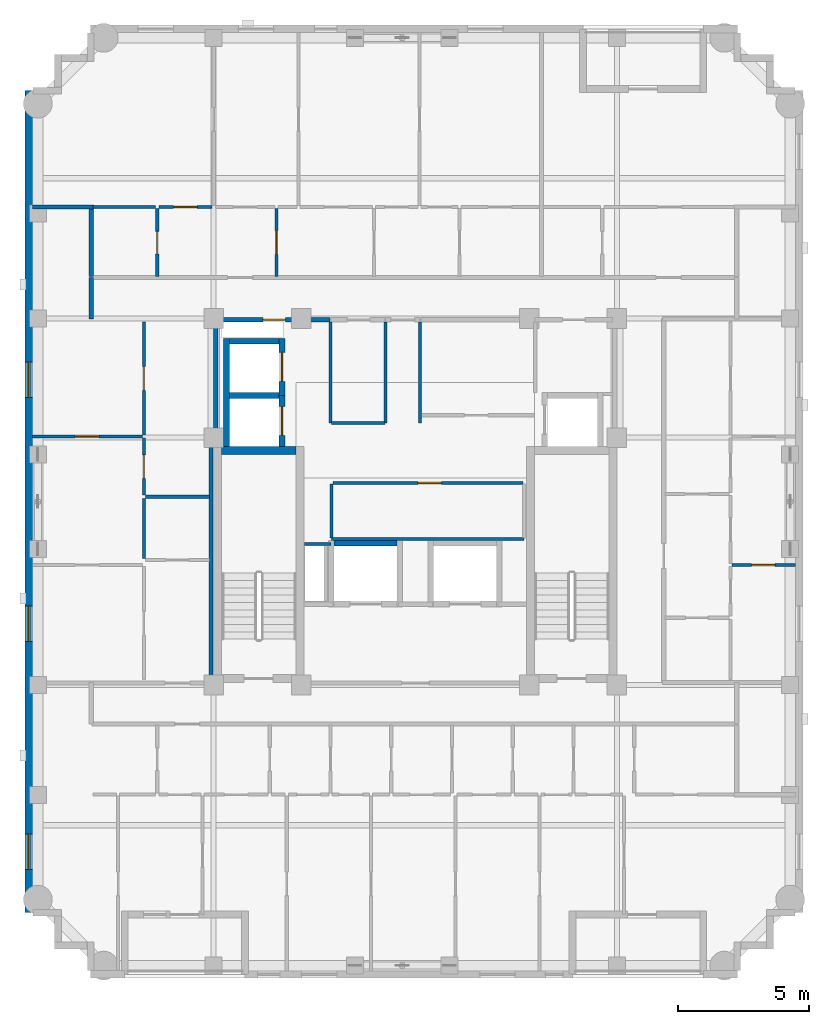
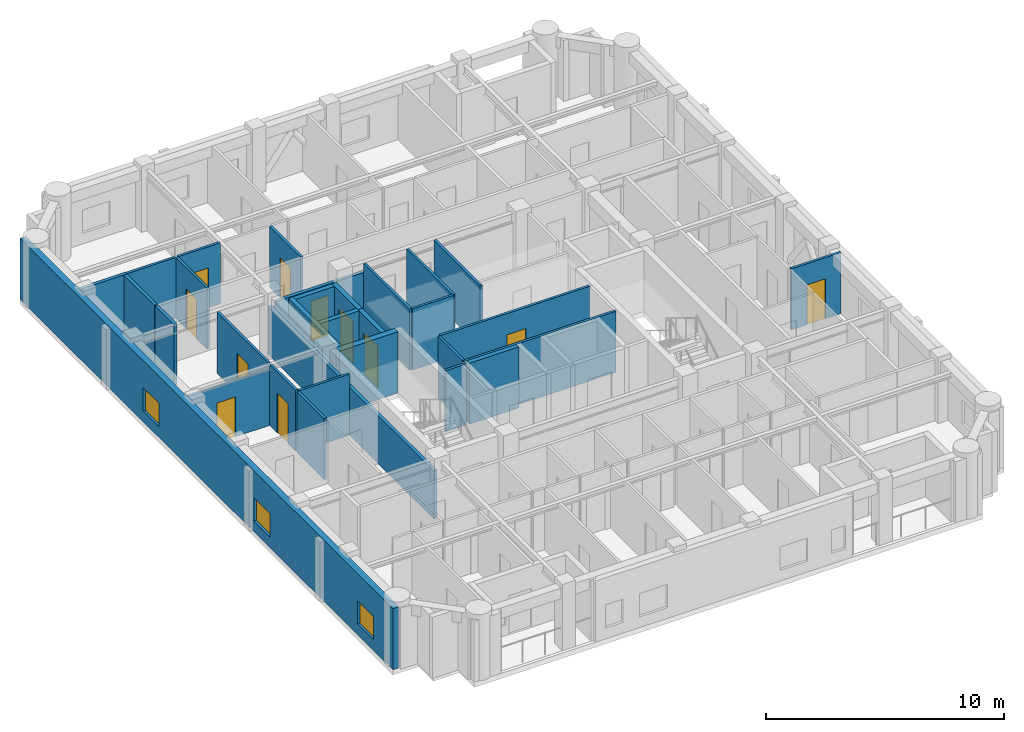
# One storey, part 5 of 11: 32 walls, 11 doors, 3 windows, 14 openings.
"""IFC4 building model written with IfcOpenShell, lengths in metres."""

from ifc_helpers import new_model, si_unit, derived_unit, direction, frame, frame_2d, origin, place, context, subcontext, project, spatial, rectangle, extrude, material, layer, layer_set, type_object, element, fill, save


model = new_model("IFC4")

# Units and contexts
model_context = context("Model", 3, precision=1e-05, world=origin(), true_north=direction((0.0, 1.0)))
body_context = subcontext(model_context, "Body", "Model", "MODEL_VIEW")
ifc_project = project(units=[si_unit("LENGTHUNIT", "METRE"), si_unit("AREAUNIT", "SQUARE_METRE"), si_unit("VOLUMEUNIT", "CUBIC_METRE"), si_unit("PLANEANGLEUNIT", "RADIAN"), si_unit("MASSUNIT", "GRAM", prefix="KILO"), derived_unit("THERMALTRANSMITTANCEUNIT", [(si_unit("MASSUNIT", "GRAM", prefix="KILO"), 1), (si_unit("TIMEUNIT", "SECOND"), -3), (si_unit("THERMODYNAMICTEMPERATUREUNIT", "KELVIN"), -1)])], contexts=[model_context])

# Site, building, storey
site_placement = place(None, origin())
site = spatial("IfcSite", under=ifc_project, at=site_placement, CompositionType="ELEMENT")
building_placement = place(site_placement, origin())
building = spatial("IfcBuilding", under=site, at=building_placement, Name="Korrvale Station Residences", CompositionType="ELEMENT")
storey_placement = place(building_placement, frame((0.0, 0.0, 227.5)))
storey = spatial("IfcBuildingStorey", under=building, at=storey_placement, Name="L66", CompositionType="ELEMENT", Elevation=227.5)

# Wall
ifc_material_1 = material(Name="Concrete C50/60", Category="concrete")
ifc_layer_1 = layer(ifc_material_1, 0.300048828125, Name="Concrete C50/60")
ifc_layer_set_1 = layer_set([ifc_layer_1], Name="Concrete C50/60")
wall_type_1 = type_object("IfcWallType", Name="WAL-CORE-300-C50", PredefinedType="SHEAR", material=ifc_layer_set_1)
wall_1_placement = place(storey_placement, frame((18.10009765625, 23.949951171875, 0.0), z_axis=(0.0, 0.0, 1.0), x_axis=(1.0, 0.0, 0.0)))
element("IfcWall", 1, at=wall_1_placement, inside=storey, type_object=wall_type_1, Name="L66 ST-1 Core Shear Wall North", PredefinedType="SHEAR", context=body_context, shape_type="SweptSolid", body=[
    extrude(rectangle(XDim=2.849853515625, YDim=0.300048828125, at=frame_2d((1.4248046875, 0.0))), origin(), (0.0, 0.0, 1.0), 3.139892578125),
])

# Wall, openings, windows
ifc_material_2 = material(Name="Precast concrete C45/55", Category="concrete")
ifc_layer_2 = layer(ifc_material_2, 0.300048828125, Name="Precast concrete C45/55")
ifc_layer_set_2 = layer_set([ifc_layer_2], Name="Precast concrete C45/55")
wall_type_2 = type_object("IfcWallType", Name="WAL-EXT-PC300", PredefinedType="SOLIDWALL", material=ifc_layer_set_2)
wall_2_placement = place(storey_placement, frame((10.75, 6.300048828125, 0.0), z_axis=(0.0, 0.0, 1.0), x_axis=(0.0, 1.0, 0.0)))
wall_2 = element("IfcWall", 2, at=wall_2_placement, inside=storey, type_object=wall_type_2, Name="L66 West Exterior Precast Wall 1", PredefinedType="SOLIDWALL", context=body_context, shape_type="SweptSolid", body=[
    extrude(rectangle(XDim=31.39990234375, YDim=0.300048828125, at=frame_2d((15.699951171875, 0.0))), origin(), (0.0, 0.0, 1.0), 3.139892578125),
])
opening_1_placement = place(wall_2_placement, frame((1.653076171875, 0.0, 0.550048828125)))
opening_1 = element("IfcOpeningElement", 3, at=opening_1_placement, cuts=wall_2, Name="Opening W-10", PredefinedType="OPENING", context=body_context, shape_type="SweptSolid", body=[
    extrude(rectangle(XDim=1.35009765625, YDim=1.199951171875, at=frame_2d((0.675048828125, 0.60009765625))), frame((0.0, 0.16015625, 0.0), z_axis=(0.0, -1.0, 0.0), x_axis=(1.0, 0.0, 0.0)), (0.0, 0.0, 1.0), 0.320068359375),
])
opening_2_placement = place(wall_2_placement, frame((10.366943359375, 0.0, 0.550048828125)))
opening_2 = element("IfcOpeningElement", 4, at=opening_2_placement, cuts=wall_2, Name="Opening W-10", PredefinedType="OPENING", context=body_context, shape_type="SweptSolid", body=[
    extrude(rectangle(XDim=1.35009765625, YDim=1.199951171875, at=frame_2d((0.675048828125, 0.60009765625))), frame((0.0, 0.16015625, 0.0), z_axis=(0.0, -1.0, 0.0), x_axis=(1.0, 0.0, 0.0)), (0.0, 0.0, 1.0), 0.320068359375),
])
opening_3_placement = place(wall_2_placement, frame((19.68310546875, 0.0, 0.550048828125)))
opening_3 = element("IfcOpeningElement", 5, at=opening_3_placement, cuts=wall_2, Name="Opening W-10", PredefinedType="OPENING", context=body_context, shape_type="SweptSolid", body=[
    extrude(rectangle(XDim=1.35009765625, YDim=1.199951171875, at=frame_2d((0.675048828125, 0.60009765625))), frame((0.0, 0.16015625, 0.0), z_axis=(0.0, -1.0, 0.0), x_axis=(1.0, 0.0, 0.0)), (0.0, 0.0, 1.0), 0.320068359375),
])
ifc_material_3 = material(Name="Thermally broken aluminium frame with triple low-e glazing", Category="aluminium")
window_type = type_object("IfcWindowType", Name="WIN-W10", PartitioningType="SINGLE_PANEL", PredefinedType="WINDOW", material=ifc_material_3)
window_1_placement = place(opening_1_placement, origin())
window_1 = element("IfcWindow", 6, at=window_1_placement, inside=storey, type_object=window_type, Name="L66 Punched Window 01", OverallHeight=1.199951171875, OverallWidth=1.35009765625, PartitioningType="SINGLE_PANEL", PredefinedType="WINDOW", context=body_context, shape_type="SweptSolid", body=[
    extrude(rectangle(XDim=1.35009765625, YDim=1.199951171875, at=frame_2d((0.675048828125, 0.60009765625))), frame((0.0, 0.030029296875, 0.0), z_axis=(0.0, -1.0, 0.0), x_axis=(1.0, 0.0, 0.0)), (0.0, 0.0, 1.0), 0.06005859375),
])
fill(opening_1, window_1)
window_2_placement = place(opening_2_placement, origin())
window_2 = element("IfcWindow", 7, at=window_2_placement, inside=storey, type_object=window_type, Name="L66 Punched Window 13", OverallHeight=1.199951171875, OverallWidth=1.35009765625, PartitioningType="SINGLE_PANEL", PredefinedType="WINDOW", context=body_context, shape_type="SweptSolid", body=[
    extrude(rectangle(XDim=1.35009765625, YDim=1.199951171875, at=frame_2d((0.675048828125, 0.60009765625))), frame((0.0, 0.030029296875, 0.0), z_axis=(0.0, -1.0, 0.0), x_axis=(1.0, 0.0, 0.0)), (0.0, 0.0, 1.0), 0.06005859375),
])
fill(opening_2, window_2)
window_3_placement = place(opening_3_placement, origin())
window_3 = element("IfcWindow", 8, at=window_3_placement, inside=storey, type_object=window_type, Name="L66 Punched Window 14", OverallHeight=1.199951171875, OverallWidth=1.35009765625, PartitioningType="SINGLE_PANEL", PredefinedType="WINDOW", context=body_context, shape_type="SweptSolid", body=[
    extrude(rectangle(XDim=1.35009765625, YDim=1.199951171875, at=frame_2d((0.675048828125, 0.60009765625))), frame((0.0, 0.030029296875, 0.0), z_axis=(0.0, -1.0, 0.0), x_axis=(1.0, 0.0, 0.0)), (0.0, 0.0, 1.0), 0.06005859375),
])
fill(opening_3, window_3)

# Walls
ifc_material_4 = material(Name="Acoustic steel-stud gypsum board partition", Category="steel")
ifc_layer_3 = layer(ifc_material_4, 0.1201171875, Name="Acoustic steel-stud gypsum board partition")
ifc_layer_set_3 = layer_set([ifc_layer_3], Name="Acoustic steel-stud gypsum board partition")
wall_type_3 = type_object("IfcWallType", Name="WAL-PART-125", PredefinedType="PARTITIONING", material=ifc_layer_set_3)
wall_3_placement = place(storey_placement, frame((22.280029296875, 20.3798828125, 0.0), z_axis=(0.0, 0.0, 1.0), x_axis=(-1.0, 0.0, 0.0)))
element("IfcWall", 9, at=wall_3_placement, inside=storey, type_object=wall_type_3, Name="L66 Core Partition CW-RSWT-N", PredefinedType="PARTITIONING", context=body_context, shape_type="SweptSolid", body=[
    extrude(rectangle(XDim=1.02001953125, YDim=0.1201171875, at=frame_2d((0.510009765625, 0.0))), origin(), (0.0, 0.0, 1.0), 3.139892578125),
])
for number, where, z_axis, x_axis, name in (
    (10, (24.360107421875, 25.0, 0.0), (0.0, 0.0, 1.0), (0.0, 1.0, 0.0), "L66 Core Partition CW-PSG-W"),
    (11, (25.679931640625, 25.0, 0.0), (0.0, 0.0, 1.0), (0.0, 1.0, 0.0), "L66 Core Partition CW-PSG-E"),
):
    element("IfcWall", number, at=place(storey_placement, frame(where, z_axis=z_axis, x_axis=x_axis)), inside=storey, type_object=wall_type_3, Name=name, PredefinedType="PARTITIONING", context=body_context, shape_type="SweptSolid", body=[
        extrude(rectangle(XDim=3.8701171875, YDim=0.1201171875, at=frame_2d((1.93505859375, 0.0))), origin(), (0.0, 0.0, 1.0), 3.139892578125),
    ])
wall_4_placement = place(storey_placement, frame((22.260009765625, 25.0, 0.0), z_axis=(0.0, 0.0, 1.0), x_axis=(0.0, 1.0, 0.0)))
element("IfcWall", 12, at=wall_4_placement, inside=storey, type_object=wall_type_3, Name="L66 Core Partition CW-FPLW-W", PredefinedType="PARTITIONING", context=body_context, shape_type="SweptSolid", body=[
    extrude(rectangle(XDim=3.860107421875, YDim=0.1201171875, at=frame_2d((1.93017578125, 0.0))), origin(), (0.0, 0.0, 1.0), 3.139892578125),
])
wall_5_placement = place(storey_placement, frame((22.300048828125, 25.0, 0.0), z_axis=(0.0, 0.0, 1.0), x_axis=(1.0, 0.0, 0.0)))
element("IfcWall", 13, at=wall_5_placement, inside=storey, type_object=wall_type_3, Name="L66 Core Partition CW-FPLW-S", PredefinedType="PARTITIONING", context=body_context, shape_type="SweptSolid", body=[
    extrude(rectangle(XDim=2.0400390625, YDim=0.1201171875, at=frame_2d((1.02001953125, 0.0))), origin(), (0.0, 0.0, 1.0), 3.139892578125),
])
wall_6_placement = place(storey_placement, frame((22.300048828125, 20.580078125, 0.0), z_axis=(0.0, 0.0, 1.0), x_axis=(1.0, 0.0, 0.0)))
element("IfcWall", 14, at=wall_6_placement, inside=storey, type_object=wall_type_3, Name="L66 Core Partition CW-FPM-S", PredefinedType="PARTITIONING", context=body_context, shape_type="SweptSolid", body=[
    extrude(rectangle(XDim=7.349853515625, YDim=0.1201171875, at=frame_2d((3.6748046875, 0.0))), origin(), (0.0, 0.0, 1.0), 3.139892578125),
])
wall_7_placement = place(storey_placement, frame((22.300048828125, 20.6201171875, 0.0), z_axis=(0.0, 0.0, 1.0), x_axis=(0.0, 1.0, 0.0)))
element("IfcWall", 15, at=wall_7_placement, inside=storey, type_object=wall_type_3, Name="L66 Core Partition CW-FPM-W", PredefinedType="PARTITIONING", context=body_context, shape_type="SweptSolid", body=[
    extrude(rectangle(XDim=2.059814453125, YDim=0.1201171875, at=frame_2d((1.02978515625, 0.0))), origin(), (0.0, 0.0, 1.0), 3.139892578125),
])

# Wall, opening, door
wall_8_placement = place(storey_placement, frame((22.35009765625, 22.719970703125, 0.0), z_axis=(0.0, 0.0, 1.0), x_axis=(1.0, 0.0, 0.0)))
wall_8 = element("IfcWall", 16, at=wall_8_placement, inside=storey, type_object=wall_type_3, Name="L66 Core Partition CW-FPM-N", PredefinedType="PARTITIONING", context=body_context, shape_type="SweptSolid", body=[
    extrude(rectangle(XDim=7.27001953125, YDim=0.1201171875, at=frame_2d((3.635009765625, 0.0))), origin(), (0.0, 0.0, 1.0), 3.139892578125),
])
opening_4_placement = place(wall_8_placement, frame((3.25, 0.0, 0.0)))
opening_4 = element("IfcOpeningElement", 17, at=opening_4_placement, cuts=wall_8, Name="Opening DI-900", PredefinedType="OPENING", context=body_context, shape_type="SweptSolid", body=[
    extrude(rectangle(XDim=0.89990234375, YDim=2.050048828125, at=frame_2d((0.449951171875, 1.02490234375))), frame((0.0, 0.070068359375, 0.0), z_axis=(0.0, -1.0, 0.0), x_axis=(1.0, 0.0, 0.0)), (0.0, 0.0, 1.0), 0.14013671875),
])
ifc_material_5 = material(Name="Painted solid-core timber interior room door", Category="wood")
door_type_1 = type_object("IfcDoorType", Name="DR-INT-900", OperationType="NOTDEFINED", PredefinedType="DOOR", material=ifc_material_5)
door_1_placement = place(opening_4_placement, origin())
door_1 = element("IfcDoor", 18, at=door_1_placement, inside=storey, type_object=door_type_1, Name="L66 Beverage Store Door", OperationType="SINGLE_SWING_RIGHT", OverallHeight=2.050048828125, OverallWidth=0.89990234375, PredefinedType="DOOR", context=body_context, shape_type="SweptSolid", body=[
    extrude(rectangle(XDim=0.89990234375, YDim=2.050048828125, at=frame_2d((0.449951171875, 1.02490234375))), frame((0.0, 0.02490234375, 0.0), z_axis=(0.0, -1.0, 0.0), x_axis=(1.0, 0.0, 0.0)), (0.0, 0.0, 1.0), 0.050048828125),
])
fill(opening_4, door_1)

wall_9_placement = place(storey_placement, frame((15.639892578125, 30.60009765625, 0.0), z_axis=(0.0, 0.0, 1.0), x_axis=(0.0, 1.0, 0.0)))
wall_9 = element("IfcWall", 19, at=wall_9_placement, inside=storey, type_object=wall_type_3, Name="L66 Suite Partition U02-V01", PredefinedType="PARTITIONING", context=body_context, shape_type="SweptSolid", body=[
    extrude(rectangle(XDim=2.599853515625, YDim=0.1201171875, at=frame_2d((1.2998046875, 0.0))), origin(), (0.0, 0.0, 1.0), 3.139892578125),
])
opening_5_placement = place(wall_9_placement, frame((0.8701171875, 0.0, 0.0)))
opening_5 = element("IfcOpeningElement", 20, at=opening_5_placement, cuts=wall_9, Name="Opening DB-860", PredefinedType="OPENING", context=body_context, shape_type="SweptSolid", body=[
    extrude(rectangle(XDim=0.860107421875, YDim=2.050048828125, at=frame_2d((0.43017578125, 1.02490234375))), frame((0.0, 0.070068359375, 0.0), z_axis=(0.0, -1.0, 0.0), x_axis=(1.0, 0.0, 0.0)), (0.0, 0.0, 1.0), 0.14013671875),
])
ifc_material_6 = material(Name="Moisture-resistant solid-core bathroom door", Category="timber")
door_type_2 = type_object("IfcDoorType", Name="DR-BATH-860", OperationType="NOTDEFINED", PredefinedType="DOOR", material=ifc_material_6)
door_2_placement = place(opening_5_placement, origin())
door_2 = element("IfcDoor", 21, at=door_2_placement, inside=storey, type_object=door_type_2, Name="L66 Apartment 2BR L66-U02 Bathroom Door", OperationType="SINGLE_SWING_LEFT", OverallHeight=2.050048828125, OverallWidth=0.860107421875, PredefinedType="DOOR", context=body_context, shape_type="SweptSolid", body=[
    extrude(rectangle(XDim=0.860107421875, YDim=2.050048828125, at=frame_2d((0.43017578125, 1.02490234375))), frame((0.0, 0.02490234375, 0.0), z_axis=(0.0, -1.0, 0.0), x_axis=(1.0, 0.0, 0.0)), (0.0, 0.0, 1.0), 0.050048828125),
])
fill(opening_5, door_2)

# Wall
wall_10_placement = place(storey_placement, frame((13.179931640625, 33.260009765625, 0.0), z_axis=(0.0, 0.0, 1.0), x_axis=(1.0, 0.0, 0.0)))
element("IfcWall", 22, at=wall_10_placement, inside=storey, type_object=wall_type_3, Name="L66 Suite Partition U02-H05", PredefinedType="PARTITIONING", context=body_context, shape_type="SweptSolid", body=[
    extrude(rectangle(XDim=2.400146484375, YDim=0.1201171875, at=frame_2d((1.2001953125, 0.0))), origin(), (0.0, 0.0, 1.0), 3.139892578125),
])

# Wall, opening, door
wall_11_placement = place(storey_placement, frame((20.199951171875, 30.60009765625, 0.0), z_axis=(0.0, 0.0, 1.0), x_axis=(0.0, 1.0, 0.0)))
wall_11 = element("IfcWall", 23, at=wall_11_placement, inside=storey, type_object=wall_type_3, Name="L66 Suite Partition U02-V12", PredefinedType="PARTITIONING", context=body_context, shape_type="SweptSolid", body=[
    extrude(rectangle(XDim=2.599853515625, YDim=0.1201171875, at=frame_2d((1.2998046875, 0.0))), origin(), (0.0, 0.0, 1.0), 3.139892578125),
])
opening_6_placement = place(wall_11_placement, frame((0.85009765625, 0.0, 0.0)))
opening_6 = element("IfcOpeningElement", 24, at=opening_6_placement, cuts=wall_11, Name="Opening DI-900", PredefinedType="OPENING", context=body_context, shape_type="SweptSolid", body=[
    extrude(rectangle(XDim=0.89990234375, YDim=2.050048828125, at=frame_2d((0.449951171875, 1.02490234375))), frame((0.0, 0.070068359375, 0.0), z_axis=(0.0, -1.0, 0.0), x_axis=(1.0, 0.0, 0.0)), (0.0, 0.0, 1.0), 0.14013671875),
])
door_3_placement = place(opening_6_placement, origin())
door_3 = element("IfcDoor", 25, at=door_3_placement, inside=storey, type_object=door_type_1, Name="L66 Apartment 2BR L66-U02 Kitchen Door", OperationType="SINGLE_SWING_RIGHT", OverallHeight=2.050048828125, OverallWidth=0.89990234375, PredefinedType="DOOR", context=body_context, shape_type="SweptSolid", body=[
    extrude(rectangle(XDim=0.89990234375, YDim=2.050048828125, at=frame_2d((0.449951171875, 1.02490234375))), frame((0.0, 0.02490234375, 0.0), z_axis=(0.0, -1.0, 0.0), x_axis=(1.0, 0.0, 0.0)), (0.0, 0.0, 1.0), 0.050048828125),
])
fill(opening_6, door_3)

wall_12_placement = place(storey_placement, frame((15.699951171875, 33.260009765625, 0.0), z_axis=(0.0, 0.0, 1.0), x_axis=(1.0, 0.0, 0.0)))
wall_12 = element("IfcWall", 26, at=wall_12_placement, inside=storey, type_object=wall_type_3, Name="L66 Suite Partition U02-H15", PredefinedType="PARTITIONING", context=body_context, shape_type="SweptSolid", body=[
    extrude(rectangle(XDim=2.0400390625, YDim=0.1201171875, at=frame_2d((1.02001953125, 0.0))), origin(), (0.0, 0.0, 1.0), 3.139892578125),
])
opening_7_placement = place(wall_12_placement, frame((0.570068359375, 0.0, 0.0)))
opening_7 = element("IfcOpeningElement", 27, at=opening_7_placement, cuts=wall_12, Name="Opening DI-900", PredefinedType="OPENING", context=body_context, shape_type="SweptSolid", body=[
    extrude(rectangle(XDim=0.89990234375, YDim=2.050048828125, at=frame_2d((0.449951171875, 1.02490234375))), frame((0.0, 0.070068359375, 0.0), z_axis=(0.0, -1.0, 0.0), x_axis=(1.0, 0.0, 0.0)), (0.0, 0.0, 1.0), 0.14013671875),
])
door_4_placement = place(opening_7_placement, origin())
door_4 = element("IfcDoor", 28, at=door_4_placement, inside=storey, type_object=door_type_1, Name="L66 Apartment 2BR L66-U02 Kitchen Door", OperationType="SINGLE_SWING_LEFT", OverallHeight=2.050048828125, OverallWidth=0.89990234375, PredefinedType="DOOR", context=body_context, shape_type="SweptSolid", body=[
    extrude(rectangle(XDim=0.89990234375, YDim=2.050048828125, at=frame_2d((0.449951171875, 1.02490234375))), frame((0.0, 0.02490234375, 0.0), z_axis=(0.0, -1.0, 0.0), x_axis=(1.0, 0.0, 0.0)), (0.0, 0.0, 1.0), 0.050048828125),
])
fill(opening_7, door_4)

# Wall
wall_13_placement = place(storey_placement, frame((15.18994140625, 22.18994140625, 0.0), z_axis=(0.0, 0.0, 1.0), x_axis=(1.0, 0.0, 0.0)))
element("IfcWall", 29, at=wall_13_placement, inside=storey, type_object=wall_type_3, Name="L66 Suite Partition U04-H01", PredefinedType="PARTITIONING", context=body_context, shape_type="SweptSolid", body=[
    extrude(rectangle(XDim=2.449951171875, YDim=0.1201171875, at=frame_2d((1.22509765625, 0.0))), origin(), (0.0, 0.0, 1.0), 3.139892578125),
])

# Wall, opening, door
wall_14_placement = place(storey_placement, frame((15.1298828125, 22.25, 0.0), z_axis=(0.0, 0.0, 1.0), x_axis=(0.0, 1.0, 0.0)))
wall_14 = element("IfcWall", 30, at=wall_14_placement, inside=storey, type_object=wall_type_3, Name="L66 Suite Partition U04-V04", PredefinedType="PARTITIONING", context=body_context, shape_type="SweptSolid", body=[
    extrude(rectangle(XDim=2.181884765625, YDim=0.1201171875, at=frame_2d((1.0908203125, 0.0))), origin(), (0.0, 0.0, 1.0), 3.139892578125),
])
opening_8_placement = place(wall_14_placement, frame((0.64111328125, 0.0, 0.0)))
opening_8 = element("IfcOpeningElement", 31, at=opening_8_placement, cuts=wall_14, Name="Opening DI-900", PredefinedType="OPENING", context=body_context, shape_type="SweptSolid", body=[
    extrude(rectangle(XDim=0.89990234375, YDim=2.050048828125, at=frame_2d((0.449951171875, 1.02490234375))), frame((0.0, 0.070068359375, 0.0), z_axis=(0.0, -1.0, 0.0), x_axis=(1.0, 0.0, 0.0)), (0.0, 0.0, 1.0), 0.14013671875),
])
door_5_placement = place(opening_8_placement, origin())
door_5 = element("IfcDoor", 32, at=door_5_placement, inside=storey, type_object=door_type_1, Name="L66 Apartment 2BR L66-U04 Wardrobe Storage Room Door", OperationType="SINGLE_SWING_LEFT", OverallHeight=2.050048828125, OverallWidth=0.89990234375, PredefinedType="DOOR", context=body_context, shape_type="SweptSolid", body=[
    extrude(rectangle(XDim=0.89990234375, YDim=2.050048828125, at=frame_2d((0.449951171875, 1.02490234375))), frame((0.0, 0.02490234375, 0.0), z_axis=(0.0, -1.0, 0.0), x_axis=(1.0, 0.0, 0.0)), (0.0, 0.0, 1.0), 0.050048828125),
])
fill(opening_8, door_5)

wall_15_placement = place(storey_placement, frame((15.1298828125, 24.552001953125, 0.0), z_axis=(0.0, 0.0, 1.0), x_axis=(0.0, 1.0, 0.0)))
wall_15 = element("IfcWall", 33, at=wall_15_placement, inside=storey, type_object=wall_type_3, Name="L66 Suite Partition U04-V05", PredefinedType="PARTITIONING", context=body_context, shape_type="SweptSolid", body=[
    extrude(rectangle(XDim=4.30810546875, YDim=0.1201171875, at=frame_2d((2.154052734375, 0.0))), origin(), (0.0, 0.0, 1.0), 3.139892578125),
])
opening_9_placement = place(wall_15_placement, frame((1.7041015625, 0.0, 0.0)))
opening_9 = element("IfcOpeningElement", 34, at=opening_9_placement, cuts=wall_15, Name="Opening DI-900", PredefinedType="OPENING", context=body_context, shape_type="SweptSolid", body=[
    extrude(rectangle(XDim=0.89990234375, YDim=2.050048828125, at=frame_2d((0.449951171875, 1.02490234375))), frame((0.0, 0.070068359375, 0.0), z_axis=(0.0, -1.0, 0.0), x_axis=(1.0, 0.0, 0.0)), (0.0, 0.0, 1.0), 0.14013671875),
])
door_6_placement = place(opening_9_placement, origin())
door_6 = element("IfcDoor", 35, at=door_6_placement, inside=storey, type_object=door_type_1, Name="L66 Apartment 2BR L66-U04 Wardrobe Storage Room Door", OperationType="SINGLE_SWING_RIGHT", OverallHeight=2.050048828125, OverallWidth=0.89990234375, PredefinedType="DOOR", context=body_context, shape_type="SweptSolid", body=[
    extrude(rectangle(XDim=0.89990234375, YDim=2.050048828125, at=frame_2d((0.449951171875, 1.02490234375))), frame((0.0, 0.02490234375, 0.0), z_axis=(0.0, -1.0, 0.0), x_axis=(1.0, 0.0, 0.0)), (0.0, 0.0, 1.0), 0.050048828125),
])
fill(opening_9, door_6)

# Wall
wall_16_placement = place(storey_placement, frame((15.1298828125, 19.830078125, 0.0), z_axis=(0.0, 0.0, 1.0), x_axis=(0.0, 1.0, 0.0)))
element("IfcWall", 36, at=wall_16_placement, inside=storey, type_object=wall_type_3, Name="L66 Suite Partition U04-V14", PredefinedType="PARTITIONING", context=body_context, shape_type="SweptSolid", body=[
    extrude(rectangle(XDim=2.2998046875, YDim=0.1201171875, at=frame_2d((1.14990234375, 0.0))), origin(), (0.0, 0.0, 1.0), 3.139892578125),
])

# Wall, opening, door
wall_17_placement = place(storey_placement, frame((10.8798828125, 24.491943359375, 0.0), z_axis=(0.0, 0.0, 1.0), x_axis=(1.0, 0.0, 0.0)))
wall_17 = element("IfcWall", 37, at=wall_17_placement, inside=storey, type_object=wall_type_3, Name="L66 Suite Partition U04-H45", PredefinedType="PARTITIONING", context=body_context, shape_type="SweptSolid", body=[
    extrude(rectangle(XDim=4.190185546875, YDim=0.1201171875, at=frame_2d((2.09521484375, 0.0))), origin(), (0.0, 0.0, 1.0), 2.8779296875),
])
opening_10_placement = place(wall_17_placement, frame((1.6298828125, 0.0, 0.0)))
opening_10 = element("IfcOpeningElement", 38, at=opening_10_placement, cuts=wall_17, Name="Opening DI-900", PredefinedType="OPENING", context=body_context, shape_type="SweptSolid", body=[
    extrude(rectangle(XDim=0.89990234375, YDim=2.050048828125, at=frame_2d((0.449951171875, 1.02490234375))), frame((0.0, 0.070068359375, 0.0), z_axis=(0.0, -1.0, 0.0), x_axis=(1.0, 0.0, 0.0)), (0.0, 0.0, 1.0), 0.14013671875),
])
door_7_placement = place(opening_10_placement, origin())
door_7 = element("IfcDoor", 39, at=door_7_placement, inside=storey, type_object=door_type_1, Name="L66 Apartment 2BR L66-U04 Living and Dining Room Door", OperationType="SINGLE_SWING_RIGHT", OverallHeight=2.050048828125, OverallWidth=0.89990234375, PredefinedType="DOOR", context=body_context, shape_type="SweptSolid", body=[
    extrude(rectangle(XDim=0.89990234375, YDim=2.050048828125, at=frame_2d((0.449951171875, 1.02490234375))), frame((0.0, 0.02490234375, 0.0), z_axis=(0.0, -1.0, 0.0), x_axis=(1.0, 0.0, 0.0)), (0.0, 0.0, 1.0), 0.050048828125),
])
fill(opening_10, door_7)

wall_18_placement = place(storey_placement, frame((37.60009765625, 19.577880859375, 0.0), z_axis=(0.0, 0.0, 1.0), x_axis=(1.0, 0.0, 0.0)))
wall_18 = element("IfcWall", 40, at=wall_18_placement, inside=storey, type_object=wall_type_3, Name="L66 Suite Partition U05-H34", PredefinedType="PARTITIONING", context=body_context, shape_type="SweptSolid", body=[
    extrude(rectangle(XDim=2.419921875, YDim=0.1201171875, at=frame_2d((1.2099609375, 0.0))), origin(), (0.0, 0.0, 1.0), 3.139892578125),
])
opening_11_placement = place(wall_18_placement, frame((0.7451171875, 0.0, 0.0)))
opening_11 = element("IfcOpeningElement", 41, at=opening_11_placement, cuts=wall_18, Name="Opening DI-900", PredefinedType="OPENING", context=body_context, shape_type="SweptSolid", body=[
    extrude(rectangle(XDim=0.89990234375, YDim=2.050048828125, at=frame_2d((0.449951171875, 1.02490234375))), frame((0.0, 0.070068359375, 0.0), z_axis=(0.0, -1.0, 0.0), x_axis=(1.0, 0.0, 0.0)), (0.0, 0.0, 1.0), 0.14013671875),
])
door_8_placement = place(opening_11_placement, origin())
door_8 = element("IfcDoor", 42, at=door_8_placement, inside=storey, type_object=door_type_1, Name="L66 Apartment 2BR L66-U05 Bedroom 1 Door", OperationType="SINGLE_SWING_LEFT", OverallHeight=2.050048828125, OverallWidth=0.89990234375, PredefinedType="DOOR", context=body_context, shape_type="SweptSolid", body=[
    extrude(rectangle(XDim=0.89990234375, YDim=2.050048828125, at=frame_2d((0.449951171875, 1.02490234375))), frame((0.0, 0.02490234375, 0.0), z_axis=(0.0, -1.0, 0.0), x_axis=(1.0, 0.0, 0.0)), (0.0, 0.0, 1.0), 0.050048828125),
])
fill(opening_11, door_8)

# Wall
ifc_material_7 = material(Name="Fire-rated twin-stud gypsum and mineral wool shaftwall assembly", Category="gypsum")
ifc_layer_4 = layer(ifc_material_7, 0.159912109375, Name="Fire-rated twin-stud gypsum and mineral wool shaftwall assembly")
ifc_layer_set_4 = layer_set([ifc_layer_4], Name="Fire-rated twin-stud gypsum and mineral wool shaftwall assembly")
wall_type_4 = type_object("IfcWallType", Name="WAL-PART-200", PredefinedType="PARTITIONING", material=ifc_layer_set_4)
wall_19_placement = place(storey_placement, frame((17.8798828125, 24.1201171875, 0.0), z_axis=(0.0, 0.0, 1.0), x_axis=(0.0, 1.0, 0.0)))
element("IfcWall", 43, at=wall_19_placement, inside=storey, type_object=wall_type_4, Name="L66 Core Partition CW-W-N", PredefinedType="PARTITIONING", context=body_context, shape_type="SweptSolid", body=[
    extrude(rectangle(XDim=4.759765625, YDim=0.159912109375, at=frame_2d((2.3798828125, 0.0))), origin(), (0.0, 0.0, 1.0), 2.47509765625),
])

# Wall, opening, door
wall_20_placement = place(storey_placement, frame((17.9599609375, 28.949951171875, 0.0), z_axis=(0.0, 0.0, 1.0), x_axis=(1.0, 0.0, 0.0)))
wall_20 = element("IfcWall", 44, at=wall_20_placement, inside=storey, type_object=wall_type_4, Name="L66 Core Partition CW-NW", PredefinedType="PARTITIONING", context=body_context, shape_type="SweptSolid", body=[
    extrude(rectangle(XDim=4.2900390625, YDim=0.159912109375, at=frame_2d((2.14501953125, 0.0))), origin(), (0.0, 0.0, 1.0), 2.66796875),
])
opening_12_placement = place(wall_20_placement, frame((1.715087890625, 0.0, 0.0)))
opening_12 = element("IfcOpeningElement", 45, at=opening_12_placement, cuts=wall_20, Name="Opening DB-860", PredefinedType="OPENING", context=body_context, shape_type="SweptSolid", body=[
    extrude(rectangle(XDim=0.860107421875, YDim=2.050048828125, at=frame_2d((0.43017578125, 1.02490234375))), frame((0.0, 0.08984375, 0.0), z_axis=(0.0, -1.0, 0.0), x_axis=(1.0, 0.0, 0.0)), (0.0, 0.0, 1.0), 0.179931640625),
])
door_9_placement = place(opening_12_placement, origin())
door_9 = element("IfcDoor", 46, at=door_9_placement, inside=storey, type_object=door_type_2, Name="L66 Electrical Riser Access Door", OperationType="SINGLE_SWING_RIGHT", OverallHeight=2.050048828125, OverallWidth=0.860107421875, PredefinedType="DOOR", context=body_context, shape_type="SweptSolid", body=[
    extrude(rectangle(XDim=0.860107421875, YDim=2.050048828125, at=frame_2d((0.43017578125, 1.02490234375))), frame((0.0, 0.02490234375, 0.0), z_axis=(0.0, -1.0, 0.0), x_axis=(1.0, 0.0, 0.0)), (0.0, 0.0, 1.0), 0.050048828125),
])
fill(opening_12, door_9)

# Walls
wall_21_placement = place(storey_placement, frame((13.1201171875, 28.97998046875, 0.0), z_axis=(0.0, 0.0, 1.0), x_axis=(0.0, 1.0, 0.0)))
element("IfcWall", 47, at=wall_21_placement, inside=storey, type_object=wall_type_4, Name="L66 Corridor North West Cap", PredefinedType="PARTITIONING", context=body_context, shape_type="SweptSolid", body=[
    extrude(rectangle(XDim=1.580078125, YDim=0.159912109375, at=frame_2d((0.7900390625, 0.0))), origin(), (0.0, 0.0, 1.0), 3.139892578125),
])
wall_22_placement = place(storey_placement, frame((10.8798828125, 33.260009765625, 0.0), z_axis=(0.0, 0.0, 1.0), x_axis=(1.0, 0.0, 0.0)))
element("IfcWall", 48, at=wall_22_placement, inside=storey, type_object=wall_type_4, Name="L66 Corner Step Wall U02-L", PredefinedType="PARTITIONING", context=body_context, shape_type="SweptSolid", body=[
    extrude(rectangle(XDim=2.340087890625, YDim=0.159912109375, at=frame_2d((1.169921875, 0.0))), origin(), (0.0, 0.0, 1.0), 3.139892578125),
])
wall_23_placement = place(storey_placement, frame((13.1201171875, 30.60009765625, 0.0), z_axis=(0.0, 0.0, 1.0), x_axis=(0.0, 1.0, 0.0)))
element("IfcWall", 49, at=wall_23_placement, inside=storey, type_object=wall_type_4, Name="L66 Corner Step Cheek U02-L", PredefinedType="PARTITIONING", context=body_context, shape_type="SweptSolid", body=[
    extrude(rectangle(XDim=2.659912109375, YDim=0.159912109375, at=frame_2d((1.330078125, 0.0))), origin(), (0.0, 0.0, 1.0), 3.139892578125),
])
wall_24_placement = place(storey_placement, frame((17.699951171875, 15.02001953125, 0.0), z_axis=(0.0, 0.0, 1.0), x_axis=(0.0, 1.0, 0.0)))
element("IfcWall", 50, at=wall_24_placement, inside=storey, type_object=wall_type_4, Name="L66 Rated Corridor Wall W", PredefinedType="PARTITIONING", context=body_context, shape_type="SweptSolid", body=[
    extrude(rectangle(XDim=13.97998046875, YDim=0.159912109375, at=frame_2d((6.989990234375, 0.0))), origin(), (0.0, 0.0, 1.0), 2.47509765625),
])
ifc_layer_5 = layer(ifc_material_1, 0.219970703125, Name="Concrete C50/60")
ifc_layer_set_5 = layer_set([ifc_layer_5], Name="Concrete C50/60")
wall_type_5 = type_object("IfcWallType", Name="WAL-SHAFT-220-C50", PredefinedType="SHEAR", material=ifc_layer_set_5)
wall_25_placement = place(storey_placement, frame((18.2900390625, 24.10009765625, 0.0), z_axis=(0.0, 0.0, 1.0), x_axis=(0.0, 1.0, 0.0)))
element("IfcWall", 51, at=wall_25_placement, inside=storey, type_object=wall_type_5, Name="L66 Elevator PH-1 Hoistway Wall West", PredefinedType="SHEAR", context=body_context, shape_type="SweptSolid", body=[
    extrude(rectangle(XDim=4.139892578125, YDim=0.219970703125, at=frame_2d((2.06982421875, 0.0))), origin(), (0.0, 0.0, 1.0), 3.139892578125),
])

# Wall, opening, door
wall_26_placement = place(storey_placement, frame((20.409912109375, 24.10009765625, 0.0), z_axis=(0.0, 0.0, 1.0), x_axis=(0.0, 1.0, 0.0)))
wall_26 = element("IfcWall", 52, at=wall_26_placement, inside=storey, type_object=wall_type_5, Name="L66 Elevator PH-1 Hoistway Wall East", PredefinedType="SHEAR", context=body_context, shape_type="SweptSolid", body=[
    extrude(rectangle(XDim=1.9599609375, YDim=0.219970703125, at=frame_2d((0.97998046875, 0.0))), origin(), (0.0, 0.0, 1.0), 3.139892578125),
])
opening_13_placement = place(wall_26_placement, frame((0.429931640625, 0.0, 0.0)))
opening_13 = element("IfcOpeningElement", 53, at=opening_13_placement, cuts=wall_26, Name="Opening LD-1100", PredefinedType="OPENING", context=body_context, shape_type="SweptSolid", body=[
    extrude(rectangle(XDim=1.10009765625, YDim=2.14990234375, at=frame_2d((0.550048828125, 1.074951171875))), frame((0.0, 0.1201171875, 0.0), z_axis=(0.0, -1.0, 0.0), x_axis=(1.0, 0.0, 0.0)), (0.0, 0.0, 1.0), 0.239990234375),
])
ifc_material_8 = material(Name="Brushed stainless-steel elevator landing sliding door", Category="steel")
door_type_3 = type_object("IfcDoorType", Name="DR-LIFT-1100", OperationType="SLIDING_TO_LEFT", PredefinedType="DOOR", material=ifc_material_8)
door_10_placement = place(opening_13_placement, origin())
door_10 = element("IfcDoor", 54, at=door_10_placement, inside=storey, type_object=door_type_3, Name="L66 Elevator PH-1 Sliding Landing Door", OperationType="SLIDING_TO_LEFT", OverallHeight=2.14990234375, OverallWidth=1.10009765625, PredefinedType="DOOR", context=body_context, shape_type="SweptSolid", body=[
    extrude(rectangle(XDim=1.10009765625, YDim=2.14990234375, at=frame_2d((0.550048828125, 1.074951171875))), frame((0.0, 0.02490234375, 0.0), z_axis=(0.0, -1.0, 0.0), x_axis=(1.0, 0.0, 0.0)), (0.0, 0.0, 1.0), 0.050048828125),
])
fill(opening_13, door_10)

# Walls
for number, where, z_axis, x_axis, name in (
    (55, (18.39990234375, 26.06005859375, 0.0), (0.0, 0.0, 1.0), (1.0, 0.0, 0.0), "L66 Elevator PH-2 Hoistway Wall South"),
    (56, (18.39990234375, 28.1298828125, 0.0), (0.0, 0.0, 1.0), (1.0, 0.0, 0.0), "L66 Elevator PH-2 Hoistway Wall North"),
):
    element("IfcWall", number, at=place(storey_placement, frame(where, z_axis=z_axis, x_axis=x_axis)), inside=storey, type_object=wall_type_5, Name=name, PredefinedType="SHEAR", context=body_context, shape_type="SweptSolid", body=[
        extrude(rectangle(XDim=1.900146484375, YDim=0.219970703125, at=frame_2d((0.9501953125, 0.0))), origin(), (0.0, 0.0, 1.0), 3.139892578125),
    ])

# Wall, opening, door
wall_27_placement = place(storey_placement, frame((20.409912109375, 26.06005859375, 0.0), z_axis=(0.0, 0.0, 1.0), x_axis=(0.0, 1.0, 0.0)))
wall_27 = element("IfcWall", 57, at=wall_27_placement, inside=storey, type_object=wall_type_5, Name="L66 Elevator PH-2 Hoistway Wall East", PredefinedType="SHEAR", context=body_context, shape_type="SweptSolid", body=[
    extrude(rectangle(XDim=2.179931640625, YDim=0.219970703125, at=frame_2d((1.08984375, 0.0))), origin(), (0.0, 0.0, 1.0), 3.139892578125),
])
opening_14_placement = place(wall_27_placement, frame((0.5400390625, 0.0, 0.0)))
opening_14 = element("IfcOpeningElement", 58, at=opening_14_placement, cuts=wall_27, Name="Opening LD-1100", PredefinedType="OPENING", context=body_context, shape_type="SweptSolid", body=[
    extrude(rectangle(XDim=1.10009765625, YDim=2.14990234375, at=frame_2d((0.550048828125, 1.074951171875))), frame((0.0, 0.1201171875, 0.0), z_axis=(0.0, -1.0, 0.0), x_axis=(1.0, 0.0, 0.0)), (0.0, 0.0, 1.0), 0.239990234375),
])
door_11_placement = place(opening_14_placement, origin())
door_11 = element("IfcDoor", 59, at=door_11_placement, inside=storey, type_object=door_type_3, Name="L66 Elevator PH-2 Sliding Landing Door", OperationType="SLIDING_TO_LEFT", OverallHeight=2.14990234375, OverallWidth=1.10009765625, PredefinedType="DOOR", context=body_context, shape_type="SweptSolid", body=[
    extrude(rectangle(XDim=1.10009765625, YDim=2.14990234375, at=frame_2d((0.550048828125, 1.074951171875))), frame((0.0, 0.02490234375, 0.0), z_axis=(0.0, -1.0, 0.0), x_axis=(1.0, 0.0, 0.0)), (0.0, 0.0, 1.0), 0.050048828125),
])
fill(opening_14, door_11)

# Wall
wall_28_placement = place(storey_placement, frame((22.39990234375, 20.409912109375, 0.0), z_axis=(0.0, 0.0, 1.0), x_axis=(1.0, 0.0, 0.0)))
element("IfcWall", 60, at=wall_28_placement, inside=storey, type_object=wall_type_5, Name="L66 Elevator FFL-1 Hoistway Wall North", PredefinedType="SHEAR", context=body_context, shape_type="SweptSolid", body=[
    extrude(rectangle(XDim=2.400146484375, YDim=0.219970703125, at=frame_2d((1.2001953125, 0.0))), origin(), (0.0, 0.0, 1.0), 3.139892578125),
])

save(model, "model.ifc")
